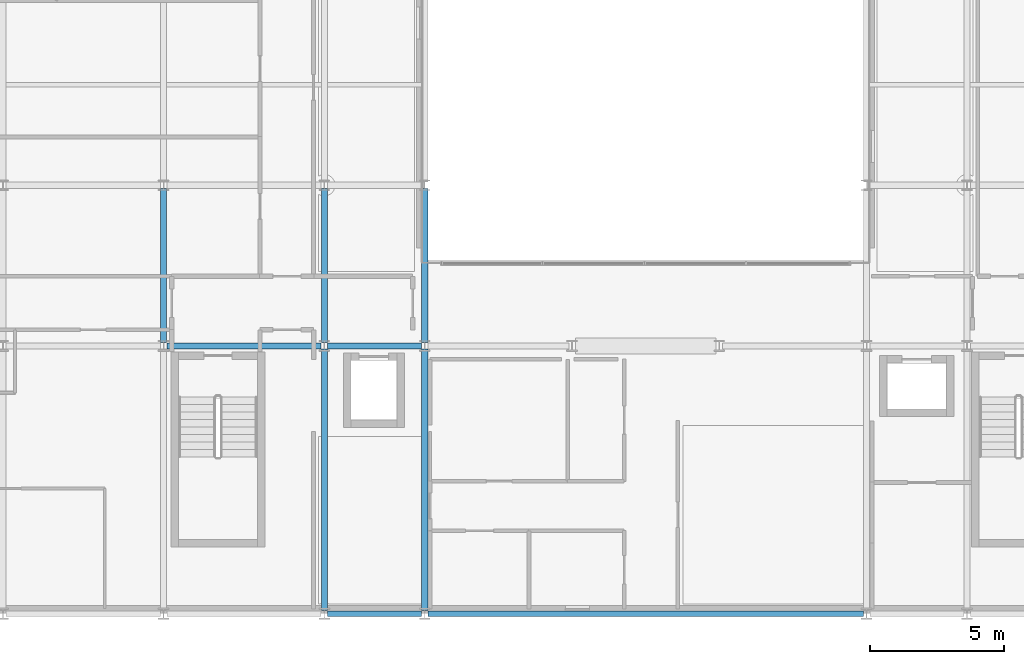
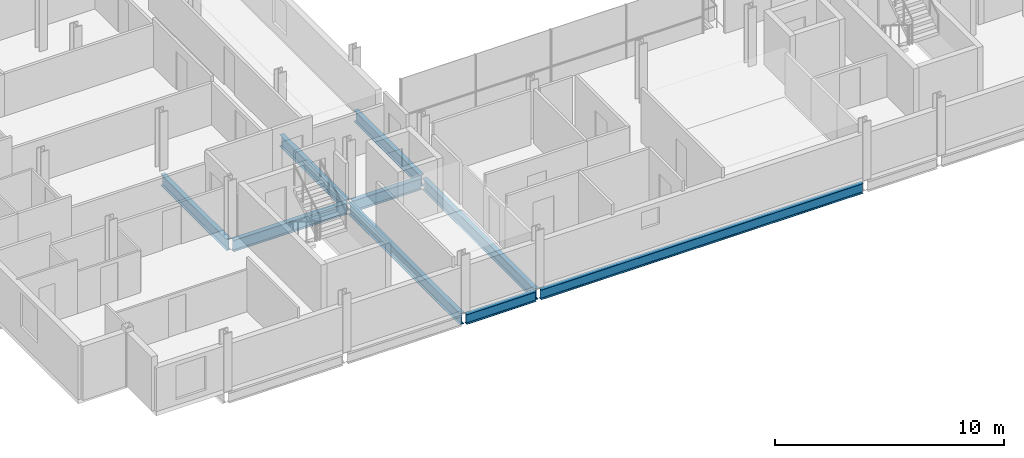
# One storey, part 5 of 40: 9 beams.
"""IFC4 building model written with IfcOpenShell, lengths in metres."""

from ifc_helpers import new_model, si_unit, direction, frame, origin, origin_2d, place, context, subcontext, project, spatial, i_section, extrude, material, material_profile, profile_set, type_object, element, save


model = new_model("IFC4")

# Units and contexts
model_context = context("Model", 3, precision=1e-05, world=origin(), true_north=direction((0.0, 1.0)))
body_context = subcontext(model_context, "Body", "Model", "MODEL_VIEW")
ifc_project = project(units=[si_unit("LENGTHUNIT", "METRE"), si_unit("AREAUNIT", "SQUARE_METRE"), si_unit("VOLUMEUNIT", "CUBIC_METRE"), si_unit("PLANEANGLEUNIT", "RADIAN"), si_unit("MASSUNIT", "GRAM", prefix="KILO")], contexts=[model_context])

# Site, building, storey
site_placement = place(None, origin())
site = spatial("IfcSite", under=ifc_project, at=site_placement, CompositionType="ELEMENT")
building_placement = place(site_placement, origin())
building = spatial("IfcBuilding", under=site, at=building_placement, Name="Brevholm Reach", CompositionType="ELEMENT")
storey_placement = place(building_placement, frame((0.0, 0.0, 148.0)))
storey = spatial("IfcBuildingStorey", under=building, at=storey_placement, Name="L44", CompositionType="ELEMENT", Elevation=148.0)

# Beams
ifc_material_1 = material(Name="Structural Steel S355J2", Category="steel")
ifc_material_profile_1 = material_profile(ifc_material_1, i_section(OverallWidth=0.209228515625, OverallDepth=0.533203125, WebThickness=0.010009765625, FlangeThickness=0.015625, FilletRadius=0.0126953125, at=origin_2d()), Name="UKB 533x210x92")
ifc_profile_set_1 = profile_set([ifc_material_profile_1], Name="Structural Steel S355J2")
beam_type_1 = type_object("IfcBeamType", Name="BM-SP533", PredefinedType="SPANDREL", material=ifc_profile_set_1)
beam_1_placement = place(storey_placement, frame((18.1201171875, 0.0, -0.486572265625), z_axis=(1.0, 0.0, 0.0), x_axis=(0.0, 1.0, 0.0)))
element("IfcBeam", 1, at=beam_1_placement, inside=storey, type_object=beam_type_1, Name="L44 SP-02 Framing Beam", PredefinedType="SPANDREL", context=body_context, shape_type="SweptSolid", body=[
    extrude(i_section(OverallWidth=0.209228515625, OverallDepth=0.533203125, WebThickness=0.010009765625, FlangeThickness=0.015625, FilletRadius=0.0126953125, at=origin_2d()), origin(), (0.0, 0.0, 1.0), 3.509765625),
])
beam_2_placement = place(storey_placement, frame((21.8701171875, 0.0, -0.486572265625), z_axis=(1.0, 0.0, 0.0), x_axis=(0.0, 1.0, 0.0)))
element("IfcBeam", 2, at=beam_2_placement, inside=storey, type_object=beam_type_1, Name="L44 SP-02 Framing Beam", PredefinedType="SPANDREL", context=body_context, shape_type="SweptSolid", body=[
    extrude(i_section(OverallWidth=0.209228515625, OverallDepth=0.533203125, WebThickness=0.010009765625, FlangeThickness=0.015625, FilletRadius=0.0126953125, at=origin_2d()), origin(), (0.0, 0.0, 1.0), 16.259765625),
])
ifc_material_2 = material(Name="Structural Steel S355J2", Category="steel")
ifc_material_profile_2 = material_profile(ifc_material_2, i_section(OverallWidth=0.22900390625, OverallDepth=0.6123046875, WebThickness=0.011962890625, FlangeThickness=0.01953125, FilletRadius=0.0126953125, at=origin_2d()), Name="UKB 610x229x125")
ifc_profile_set_2 = profile_set([ifc_material_profile_2], Name="Structural Steel S355J2")
beam_type_2 = type_object("IfcBeamType", Name="BM-SP610", PredefinedType="SPANDREL", material=ifc_profile_set_2)
beam_3_placement = place(storey_placement, frame((12.1201171875, 10.0, -0.526123046875), z_axis=(1.0, 0.0, 0.0), x_axis=(0.0, 1.0, 0.0)))
element("IfcBeam", 3, at=beam_3_placement, inside=storey, type_object=beam_type_2, Name="L44 SP-01 Framing Beam", PredefinedType="SPANDREL", context=body_context, shape_type="SweptSolid", body=[
    extrude(i_section(OverallWidth=0.22900390625, OverallDepth=0.6123046875, WebThickness=0.011962890625, FlangeThickness=0.01953125, FilletRadius=0.0126953125, at=origin_2d()), origin(), (0.0, 0.0, 1.0), 5.759765625),
])
beam_4_placement = place(storey_placement, frame((18.1201171875, 10.0, -0.526123046875), z_axis=(1.0, 0.0, 0.0), x_axis=(0.0, 1.0, 0.0)))
element("IfcBeam", 4, at=beam_4_placement, inside=storey, type_object=beam_type_2, Name="L44 SP-01 Framing Beam", PredefinedType="SPANDREL", context=body_context, shape_type="SweptSolid", body=[
    extrude(i_section(OverallWidth=0.22900390625, OverallDepth=0.6123046875, WebThickness=0.011962890625, FlangeThickness=0.01953125, FilletRadius=0.0126953125, at=origin_2d()), origin(), (0.0, 0.0, 1.0), 3.509765625),
])
beam_5_placement = place(storey_placement, frame((12.0, 10.1201171875, -0.526123046875), z_axis=(0.0, 1.0, 0.0), x_axis=(-1.0, 0.0, 0.0)))
element("IfcBeam", 5, at=beam_5_placement, inside=storey, type_object=beam_type_2, Name="L44 SP-01 Framing Beam", PredefinedType="SPANDREL", context=body_context, shape_type="SweptSolid", body=[
    extrude(i_section(OverallWidth=0.22900390625, OverallDepth=0.6123046875, WebThickness=0.011962890625, FlangeThickness=0.01953125, FilletRadius=0.0126953125, at=origin_2d()), origin(), (0.0, 0.0, 1.0), 5.759765625),
])
beam_6_placement = place(storey_placement, frame((18.0, 0.1201171875, -0.526123046875), z_axis=(0.0, 1.0, 0.0), x_axis=(-1.0, 0.0, 0.0)))
element("IfcBeam", 6, at=beam_6_placement, inside=storey, type_object=beam_type_2, Name="L44 SP-01 Framing Beam", PredefinedType="SPANDREL", context=body_context, shape_type="SweptSolid", body=[
    extrude(i_section(OverallWidth=0.22900390625, OverallDepth=0.6123046875, WebThickness=0.011962890625, FlangeThickness=0.01953125, FilletRadius=0.0126953125, at=origin_2d()), origin(), (0.0, 0.0, 1.0), 9.759765625),
])
beam_7_placement = place(storey_placement, frame((18.0, 10.1201171875, -0.526123046875), z_axis=(0.0, 1.0, 0.0), x_axis=(-1.0, 0.0, 0.0)))
element("IfcBeam", 7, at=beam_7_placement, inside=storey, type_object=beam_type_2, Name="L44 SP-01 Framing Beam", PredefinedType="SPANDREL", context=body_context, shape_type="SweptSolid", body=[
    extrude(i_section(OverallWidth=0.22900390625, OverallDepth=0.6123046875, WebThickness=0.011962890625, FlangeThickness=0.01953125, FilletRadius=0.0126953125, at=origin_2d()), origin(), (0.0, 0.0, 1.0), 5.759765625),
])
beam_8_placement = place(storey_placement, frame((21.75, 0.1201171875, -0.526123046875), z_axis=(0.0, 1.0, 0.0), x_axis=(-1.0, 0.0, 0.0)))
element("IfcBeam", 8, at=beam_8_placement, inside=storey, type_object=beam_type_2, Name="L44 SP-01 Framing Beam", PredefinedType="SPANDREL", context=body_context, shape_type="SweptSolid", body=[
    extrude(i_section(OverallWidth=0.22900390625, OverallDepth=0.6123046875, WebThickness=0.011962890625, FlangeThickness=0.01953125, FilletRadius=0.0126953125, at=origin_2d()), origin(), (0.0, 0.0, 1.0), 9.759765625),
])
beam_9_placement = place(storey_placement, frame((21.75, 10.1201171875, -0.526123046875), z_axis=(0.0, 1.0, 0.0), x_axis=(-1.0, 0.0, 0.0)))
element("IfcBeam", 9, at=beam_9_placement, inside=storey, type_object=beam_type_2, Name="L44 SP-01 Framing Beam", PredefinedType="SPANDREL", context=body_context, shape_type="SweptSolid", body=[
    extrude(i_section(OverallWidth=0.22900390625, OverallDepth=0.6123046875, WebThickness=0.011962890625, FlangeThickness=0.01953125, FilletRadius=0.0126953125, at=origin_2d()), origin(), (0.0, 0.0, 1.0), 5.759765625),
])

save(model, "model.ifc")
